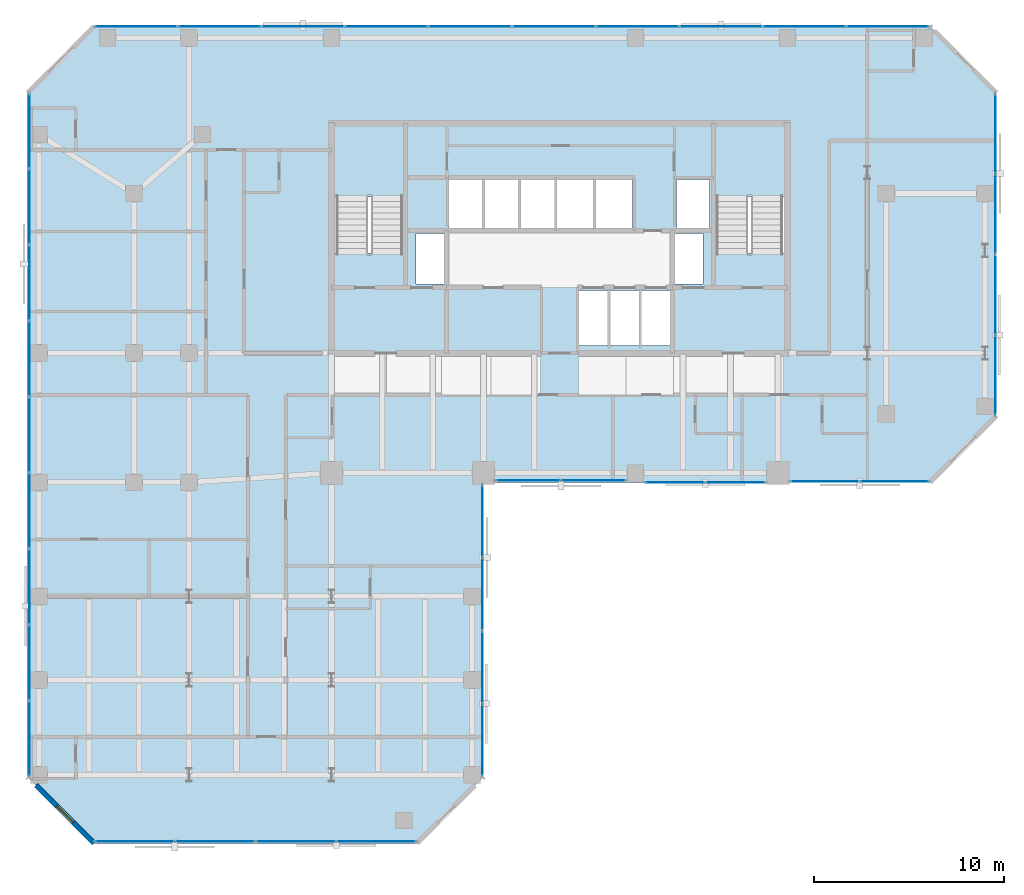
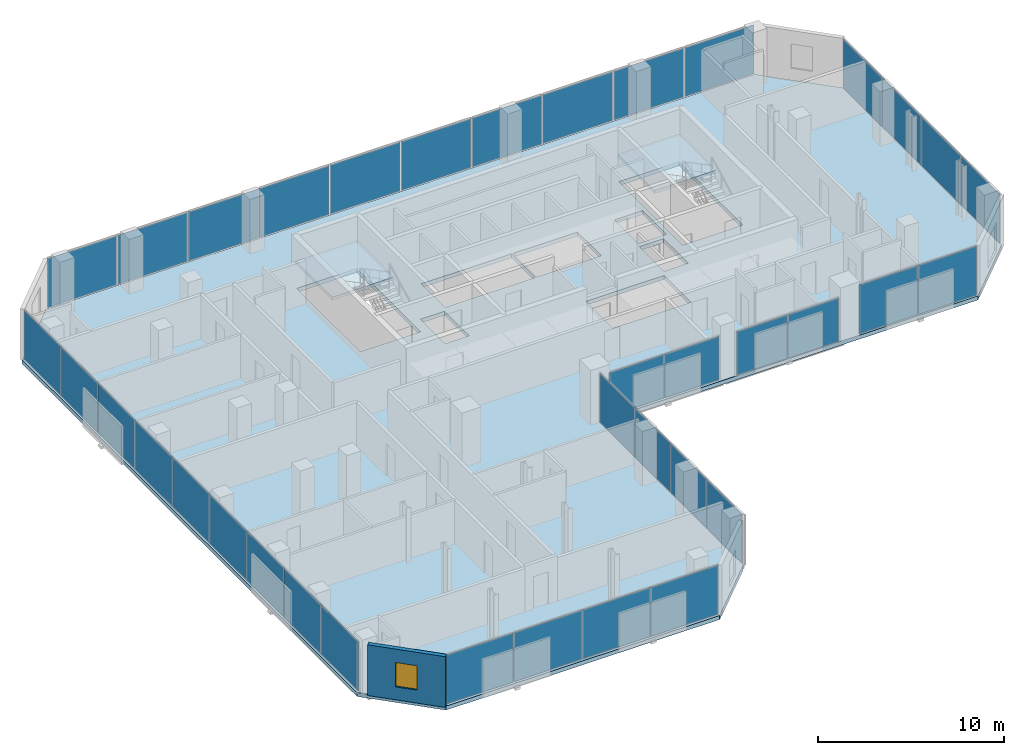
# One storey, part 27 of 34: 37 plates, 3 slabs, 1 wall, 1 window, 1 opening, 10 elements without a shape of their own.
"""IFC4 building model written with IfcOpenShell, lengths in metres."""

from ifc_helpers import new_model, si_unit, direction, frame, frame_2d, origin, origin_2d, place, context, subcontext, project, spatial, polyline, rectangle, outline, extrude, material, layer, layer_set, type_object, element, fill, aggregate, save


model = new_model("IFC4")

# Units and contexts
model_context = context("Model", 3, precision=1e-05, world=origin(), true_north=direction((0.0, 1.0)))
body_context = subcontext(model_context, "Body", "Model", "MODEL_VIEW")
ifc_project = project(units=[si_unit("LENGTHUNIT", "METRE"), si_unit("AREAUNIT", "SQUARE_METRE"), si_unit("VOLUMEUNIT", "CUBIC_METRE"), si_unit("PLANEANGLEUNIT", "RADIAN"), si_unit("MASSUNIT", "GRAM", prefix="KILO")], contexts=[model_context])

# Site, building, storey
site_placement = place(None, origin())
site = spatial("IfcSite", under=ifc_project, at=site_placement, CompositionType="ELEMENT")
building_placement = place(site_placement, origin())
building = spatial("IfcBuilding", under=site, at=building_placement, Name="Catumbela Crestline Tower", CompositionType="ELEMENT")
storey_placement = place(building_placement, frame((0.0, 0.0, 111.6)))
storey = spatial("IfcBuildingStorey", under=building, at=storey_placement, Name="L28", CompositionType="ELEMENT", Elevation=111.6)

# Curtain wall, plates
ifc_material_1 = material(Name="Aluminium alloy AW-6060-T66", Category="aluminium")
ifc_layer_1 = layer(ifc_material_1, 0.18, Name="Aluminium alloy AW-6060-T66")
ifc_layer_set_1 = layer_set([ifc_layer_1], Name="Aluminium alloy AW-6060-T66")
curtain_wall_type = type_object("IfcCurtainWallType", Name="CWU-Z2", PredefinedType="USERDEFINED", material=ifc_layer_set_1)
curtain_wall_1_placement = place(storey_placement, origin())
curtain_wall_1 = element("IfcCurtainWall", 1, at=curtain_wall_1_placement, inside=storey, type_object=curtain_wall_type, Name="L28 Unitised Curtain Wall CW-L28-E0S1", ObjectType="UNITISED", PredefinedType="USERDEFINED")
ifc_material_2 = material(Name="Low-E laminated solar-control double glazing", Category="glass")
ifc_layer_2 = layer(ifc_material_2, 0.036, Name="Low-E laminated solar-control double glazing")
ifc_layer_set_2 = layer_set([ifc_layer_2], Name="Low-E laminated solar-control double glazing")
plate_type = type_object("IfcPlateType", Name="PNL-GLZ-Z2", PredefinedType="CURTAIN_PANEL", material=ifc_layer_set_2)
plate_1_placement = place(storey_placement, frame((5.6412, 5.1, 0.06), z_axis=(0.0, 0.0, 1.0), x_axis=(1.0, 0.0, 0.0)))
plate_1 = element("IfcPlate", 2, at=plate_1_placement, type_object=plate_type, Name="CWU-Z2 panel 1.1", PredefinedType="CURTAIN_PANEL", context=body_context, shape_type="SweptSolid", body=[
    extrude(rectangle(XDim=4.1525, YDim=0.034, at=origin_2d()), origin(), (0.0, 0.0, 1.0), 3.21),
])
plate_2_placement = place(storey_placement, frame((9.875, 5.1, 0.06), z_axis=(0.0, 0.0, 1.0), x_axis=(1.0, 0.0, 0.0)))
plate_2 = element("IfcPlate", 3, at=plate_2_placement, type_object=plate_type, Name="CWU-Z2 panel 2.1", PredefinedType="CURTAIN_PANEL", context=body_context, shape_type="SweptSolid", body=[
    extrude(rectangle(XDim=4.185, YDim=0.034, at=origin_2d()), origin(), (0.0, 0.0, 1.0), 3.21),
])
plate_3_placement = place(storey_placement, frame((14.125, 5.1, 0.06), z_axis=(0.0, 0.0, 1.0), x_axis=(1.0, 0.0, 0.0)))
plate_3 = element("IfcPlate", 4, at=plate_3_placement, type_object=plate_type, Name="CWU-Z2 panel 3.1", PredefinedType="CURTAIN_PANEL", context=body_context, shape_type="SweptSolid", body=[
    extrude(rectangle(XDim=4.185, YDim=0.034, at=origin_2d()), origin(), (0.0, 0.0, 1.0), 3.21),
])
plate_4_placement = place(storey_placement, frame((18.3588, 5.1, 0.06), z_axis=(0.0, 0.0, 1.0), x_axis=(1.0, 0.0, 0.0)))
plate_4 = element("IfcPlate", 5, at=plate_4_placement, type_object=plate_type, Name="CWU-Z2 panel 4.1", PredefinedType="CURTAIN_PANEL", context=body_context, shape_type="SweptSolid", body=[
    extrude(rectangle(XDim=4.1525, YDim=0.034, at=origin_2d()), origin(), (0.0, 0.0, 1.0), 3.21),
])
aggregate(curtain_wall_1, [plate_1, plate_2, plate_3, plate_4])

curtain_wall_2_placement = place(storey_placement, origin())
curtain_wall_2 = element("IfcCurtainWall", 6, at=curtain_wall_2_placement, inside=storey, type_object=curtain_wall_type, Name="L28 Unitised Curtain Wall CW-L28-E2S1", ObjectType="UNITISED", PredefinedType="USERDEFINED")
plate_5_placement = place(storey_placement, frame((23.95, 10.4412, 0.06), z_axis=(0.0, 0.0, 1.0), x_axis=(0.0, 1.0, 0.0)))
plate_5 = element("IfcPlate", 7, at=plate_5_placement, type_object=plate_type, Name="CWU-Z2 panel 1.1", PredefinedType="CURTAIN_PANEL", context=body_context, shape_type="SweptSolid", body=[
    extrude(rectangle(XDim=3.7525, YDim=0.034, at=origin_2d()), origin(), (0.0, 0.0, 1.0), 3.21),
])
plate_6_placement = place(storey_placement, frame((23.95, 14.275, 0.06), z_axis=(0.0, 0.0, 1.0), x_axis=(0.0, 1.0, 0.0)))
plate_6 = element("IfcPlate", 8, at=plate_6_placement, type_object=plate_type, Name="CWU-Z2 panel 2.1", PredefinedType="CURTAIN_PANEL", context=body_context, shape_type="SweptSolid", body=[
    extrude(rectangle(XDim=3.785, YDim=0.034, at=origin_2d()), origin(), (0.0, 0.0, 1.0), 3.21),
])
plate_7_placement = place(storey_placement, frame((23.95, 18.125, 0.06), z_axis=(0.0, 0.0, 1.0), x_axis=(0.0, 1.0, 0.0)))
plate_7 = element("IfcPlate", 9, at=plate_7_placement, type_object=plate_type, Name="CWU-Z2 panel 3.1", PredefinedType="CURTAIN_PANEL", context=body_context, shape_type="SweptSolid", body=[
    extrude(rectangle(XDim=3.785, YDim=0.034, at=origin_2d()), origin(), (0.0, 0.0, 1.0), 3.21),
])
plate_8_placement = place(storey_placement, frame((23.95, 21.9587, 0.06), z_axis=(0.0, 0.0, 1.0), x_axis=(0.0, 1.0, 0.0)))
plate_8 = element("IfcPlate", 10, at=plate_8_placement, type_object=plate_type, Name="CWU-Z2 panel 4.1", PredefinedType="CURTAIN_PANEL", context=body_context, shape_type="SweptSolid", body=[
    extrude(rectangle(XDim=3.7525, YDim=0.034, at=origin_2d()), origin(), (0.0, 0.0, 1.0), 3.21),
])
aggregate(curtain_wall_2, [plate_5, plate_6, plate_7, plate_8])

curtain_wall_3_placement = place(storey_placement, origin())
curtain_wall_3 = element("IfcCurtainWall", 11, at=curtain_wall_3_placement, inside=storey, type_object=curtain_wall_type, Name="L28 Unitised Curtain Wall CW-L28-E3S1", ObjectType="UNITISED", PredefinedType="USERDEFINED")
plate_9_placement = place(storey_placement, frame((26.3538, 24.1, 0.06), z_axis=(0.0, 0.0, 1.0), x_axis=(1.0, 0.0, 0.0)))
plate_9 = element("IfcPlate", 12, at=plate_9_placement, type_object=plate_type, Name="CWU-Z2 panel 1.1", PredefinedType="CURTAIN_PANEL", context=body_context, shape_type="SweptSolid", body=[
    extrude(rectangle(XDim=3.3775, YDim=0.034, at=origin_2d()), origin(), (0.0, 0.0, 1.0), 2.84),
])
plate_10_placement = place(storey_placement, frame((29.7962, 24.1, 0.06), z_axis=(0.0, 0.0, 1.0), x_axis=(1.0, 0.0, 0.0)))
plate_10 = element("IfcPlate", 13, at=plate_10_placement, type_object=plate_type, Name="CWU-Z2 panel 2.1", PredefinedType="CURTAIN_PANEL", context=body_context, shape_type="SweptSolid", body=[
    extrude(rectangle(XDim=3.3775, YDim=0.034, at=origin_2d()), origin(), (0.0, 0.0, 1.0), 2.84),
])
aggregate(curtain_wall_3, [plate_9, plate_10])

curtain_wall_4_placement = place(storey_placement, origin())
curtain_wall_4 = element("IfcCurtainWall", 14, at=curtain_wall_4_placement, inside=storey, type_object=curtain_wall_type, Name="L28 Unitised Curtain Wall CW-L28-E3S2", ObjectType="UNITISED", PredefinedType="USERDEFINED")
plate_11_placement = place(storey_placement, frame((34.0788, 24.0, 0.06), z_axis=(0.0, 0.0, 1.0), x_axis=(1.0, 0.0, 0.0)))
plate_11 = element("IfcPlate", 15, at=plate_11_placement, type_object=plate_type, Name="CWU-Z2 panel 1.1", PredefinedType="CURTAIN_PANEL", context=body_context, shape_type="SweptSolid", body=[
    extrude(rectangle(XDim=3.1275, YDim=0.034, at=origin_2d()), origin(), (0.0, 0.0, 1.0), 2.84),
])
plate_12_placement = place(storey_placement, frame((37.2712, 24.0, 0.06), z_axis=(0.0, 0.0, 1.0), x_axis=(1.0, 0.0, 0.0)))
plate_12 = element("IfcPlate", 16, at=plate_12_placement, type_object=plate_type, Name="CWU-Z2 panel 2.1", PredefinedType="CURTAIN_PANEL", context=body_context, shape_type="SweptSolid", body=[
    extrude(rectangle(XDim=3.1275, YDim=0.034, at=origin_2d()), origin(), (0.0, 0.0, 1.0), 2.84),
])
aggregate(curtain_wall_4, [plate_11, plate_12])

curtain_wall_5_placement = place(storey_placement, origin())
curtain_wall_5 = element("IfcCurtainWall", 17, at=curtain_wall_5_placement, inside=storey, type_object=curtain_wall_type, Name="L28 Unitised Curtain Wall CW-L28-E3S3", ObjectType="UNITISED", PredefinedType="USERDEFINED")
plate_13_placement = place(storey_placement, frame((41.9662, 24.05, 0.06), z_axis=(0.0, 0.0, 1.0), x_axis=(1.0, 0.0, 0.0)))
plate_13 = element("IfcPlate", 18, at=plate_13_placement, type_object=plate_type, Name="CWU-Z2 panel 1.1", PredefinedType="CURTAIN_PANEL", context=body_context, shape_type="SweptSolid", body=[
    extrude(rectangle(XDim=3.6025, YDim=0.034, at=origin_2d()), origin(), (0.0, 0.0, 1.0), 3.21),
])
plate_14_placement = place(storey_placement, frame((45.6338, 24.05, 0.06), z_axis=(0.0, 0.0, 1.0), x_axis=(1.0, 0.0, 0.0)))
plate_14 = element("IfcPlate", 19, at=plate_14_placement, type_object=plate_type, Name="CWU-Z2 panel 2.1", PredefinedType="CURTAIN_PANEL", context=body_context, shape_type="SweptSolid", body=[
    extrude(rectangle(XDim=3.6025, YDim=0.034, at=origin_2d()), origin(), (0.0, 0.0, 1.0), 3.21),
])
aggregate(curtain_wall_5, [plate_13, plate_14])

curtain_wall_6_placement = place(storey_placement, origin())
curtain_wall_6 = element("IfcCurtainWall", 20, at=curtain_wall_6_placement, inside=storey, type_object=curtain_wall_type, Name="L28 Unitised Curtain Wall CW-L28-E5S1", ObjectType="UNITISED", PredefinedType="USERDEFINED")
plate_15_placement = place(storey_placement, frame((50.95, 29.6412, 0.06), z_axis=(0.0, 0.0, 1.0), x_axis=(0.0, 1.0, 0.0)))
plate_15 = element("IfcPlate", 21, at=plate_15_placement, type_object=plate_type, Name="CWU-Z2 panel 1.1", PredefinedType="CURTAIN_PANEL", context=body_context, shape_type="SweptSolid", body=[
    extrude(rectangle(XDim=4.1525, YDim=0.034, at=origin_2d()), origin(), (0.0, 0.0, 1.0), 3.21),
])
plate_16_placement = place(storey_placement, frame((50.95, 33.875, 0.06), z_axis=(0.0, 0.0, 1.0), x_axis=(0.0, 1.0, 0.0)))
plate_16 = element("IfcPlate", 22, at=plate_16_placement, type_object=plate_type, Name="CWU-Z2 panel 2.1", PredefinedType="CURTAIN_PANEL", context=body_context, shape_type="SweptSolid", body=[
    extrude(rectangle(XDim=4.185, YDim=0.034, at=origin_2d()), origin(), (0.0, 0.0, 1.0), 3.21),
])
plate_17_placement = place(storey_placement, frame((50.95, 38.125, 0.06), z_axis=(0.0, 0.0, 1.0), x_axis=(0.0, 1.0, 0.0)))
plate_17 = element("IfcPlate", 23, at=plate_17_placement, type_object=plate_type, Name="CWU-Z2 panel 3.1", PredefinedType="CURTAIN_PANEL", context=body_context, shape_type="SweptSolid", body=[
    extrude(rectangle(XDim=4.185, YDim=0.034, at=origin_2d()), origin(), (0.0, 0.0, 1.0), 3.21),
])
plate_18_placement = place(storey_placement, frame((50.95, 42.3588, 0.06), z_axis=(0.0, 0.0, 1.0), x_axis=(0.0, 1.0, 0.0)))
plate_18 = element("IfcPlate", 24, at=plate_18_placement, type_object=plate_type, Name="CWU-Z2 panel 4.1", PredefinedType="CURTAIN_PANEL", context=body_context, shape_type="SweptSolid", body=[
    extrude(rectangle(XDim=4.1525, YDim=0.034, at=origin_2d()), origin(), (0.0, 0.0, 1.0), 3.21),
])
aggregate(curtain_wall_6, [plate_15, plate_16, plate_17, plate_18])

curtain_wall_7_placement = place(storey_placement, origin())
curtain_wall_7 = element("IfcCurtainWall", 25, at=curtain_wall_7_placement, inside=storey, type_object=curtain_wall_type, Name="L28 Unitised Curtain Wall CW-L28-E7S1", ObjectType="UNITISED", PredefinedType="USERDEFINED")
plate_19_placement = place(storey_placement, frame((45.2838, 48.0, 0.06), z_axis=(0.0, 0.0, 1.0), x_axis=(-1.0, 0.0, 0.0)))
plate_19 = element("IfcPlate", 26, at=plate_19_placement, type_object=plate_type, Name="CWU-Z2 panel 1.1", PredefinedType="CURTAIN_PANEL", context=body_context, shape_type="SweptSolid", body=[
    extrude(rectangle(XDim=4.3025, YDim=0.034, at=origin_2d()), origin(), (0.0, 0.0, 1.0), 3.21),
])
plate_20_placement = place(storey_placement, frame((40.9, 48.0, 0.06), z_axis=(0.0, 0.0, 1.0), x_axis=(-1.0, 0.0, 0.0)))
plate_20 = element("IfcPlate", 27, at=plate_20_placement, type_object=plate_type, Name="CWU-Z2 panel 2.1", PredefinedType="CURTAIN_PANEL", context=body_context, shape_type="SweptSolid", body=[
    extrude(rectangle(XDim=4.335, YDim=0.034, at=origin_2d()), origin(), (0.0, 0.0, 1.0), 3.21),
])
plate_21_placement = place(storey_placement, frame((36.5, 48.0, 0.06), z_axis=(0.0, 0.0, 1.0), x_axis=(-1.0, 0.0, 0.0)))
plate_21 = element("IfcPlate", 28, at=plate_21_placement, type_object=plate_type, Name="CWU-Z2 panel 3.1", PredefinedType="CURTAIN_PANEL", context=body_context, shape_type="SweptSolid", body=[
    extrude(rectangle(XDim=4.335, YDim=0.034, at=origin_2d()), origin(), (0.0, 0.0, 1.0), 3.21),
])
plate_22_placement = place(storey_placement, frame((32.1, 48.0, 0.06), z_axis=(0.0, 0.0, 1.0), x_axis=(-1.0, 0.0, 0.0)))
plate_22 = element("IfcPlate", 29, at=plate_22_placement, type_object=plate_type, Name="CWU-Z2 panel 4.1", PredefinedType="CURTAIN_PANEL", context=body_context, shape_type="SweptSolid", body=[
    extrude(rectangle(XDim=4.335, YDim=0.034, at=origin_2d()), origin(), (0.0, 0.0, 1.0), 3.21),
])
plate_23_placement = place(storey_placement, frame((27.7, 48.0, 0.06), z_axis=(0.0, 0.0, 1.0), x_axis=(-1.0, 0.0, 0.0)))
plate_23 = element("IfcPlate", 30, at=plate_23_placement, type_object=plate_type, Name="CWU-Z2 panel 5.1", PredefinedType="CURTAIN_PANEL", context=body_context, shape_type="SweptSolid", body=[
    extrude(rectangle(XDim=4.335, YDim=0.034, at=origin_2d()), origin(), (0.0, 0.0, 1.0), 3.21),
])
plate_24_placement = place(storey_placement, frame((23.3, 48.0, 0.06), z_axis=(0.0, 0.0, 1.0), x_axis=(-1.0, 0.0, 0.0)))
plate_24 = element("IfcPlate", 31, at=plate_24_placement, type_object=plate_type, Name="CWU-Z2 panel 6.1", PredefinedType="CURTAIN_PANEL", context=body_context, shape_type="SweptSolid", body=[
    extrude(rectangle(XDim=4.335, YDim=0.034, at=origin_2d()), origin(), (0.0, 0.0, 1.0), 3.21),
])
plate_25_placement = place(storey_placement, frame((18.9, 48.0, 0.06), z_axis=(0.0, 0.0, 1.0), x_axis=(-1.0, 0.0, 0.0)))
plate_25 = element("IfcPlate", 32, at=plate_25_placement, type_object=plate_type, Name="CWU-Z2 panel 7.1", PredefinedType="CURTAIN_PANEL", context=body_context, shape_type="SweptSolid", body=[
    extrude(rectangle(XDim=4.335, YDim=0.034, at=origin_2d()), origin(), (0.0, 0.0, 1.0), 3.21),
])
plate_26_placement = place(storey_placement, frame((14.5, 48.0, 0.06), z_axis=(0.0, 0.0, 1.0), x_axis=(-1.0, 0.0, 0.0)))
plate_26 = element("IfcPlate", 33, at=plate_26_placement, type_object=plate_type, Name="CWU-Z2 panel 8.1", PredefinedType="CURTAIN_PANEL", context=body_context, shape_type="SweptSolid", body=[
    extrude(rectangle(XDim=4.335, YDim=0.034, at=origin_2d()), origin(), (0.0, 0.0, 1.0), 3.21),
])
plate_27_placement = place(storey_placement, frame((10.1, 48.0, 0.06), z_axis=(0.0, 0.0, 1.0), x_axis=(-1.0, 0.0, 0.0)))
plate_27 = element("IfcPlate", 34, at=plate_27_placement, type_object=plate_type, Name="CWU-Z2 panel 9.1", PredefinedType="CURTAIN_PANEL", context=body_context, shape_type="SweptSolid", body=[
    extrude(rectangle(XDim=4.335, YDim=0.034, at=origin_2d()), origin(), (0.0, 0.0, 1.0), 3.21),
])
plate_28_placement = place(storey_placement, frame((5.7162, 48.0, 0.06), z_axis=(0.0, 0.0, 1.0), x_axis=(-1.0, 0.0, 0.0)))
plate_28 = element("IfcPlate", 35, at=plate_28_placement, type_object=plate_type, Name="CWU-Z2 panel 10.1", PredefinedType="CURTAIN_PANEL", context=body_context, shape_type="SweptSolid", body=[
    extrude(rectangle(XDim=4.3025, YDim=0.034, at=origin_2d()), origin(), (0.0, 0.0, 1.0), 3.21),
])
aggregate(curtain_wall_7, [plate_19, plate_20, plate_21, plate_22, plate_23, plate_24, plate_25, plate_26, plate_27, plate_28])

curtain_wall_8_placement = place(storey_placement, origin())
curtain_wall_8 = element("IfcCurtainWall", 36, at=curtain_wall_8_placement, inside=storey, type_object=curtain_wall_type, Name="L28 Unitised Curtain Wall CW-L28-E9S1", ObjectType="UNITISED", PredefinedType="USERDEFINED")
plate_29_placement = place(storey_placement, frame((0.1, 42.4838, 0.06), z_axis=(0.0, 0.0, 1.0), x_axis=(0.0, -1.0, 0.0)))
plate_29 = element("IfcPlate", 37, at=plate_29_placement, type_object=plate_type, Name="CWU-Z2 panel 1.1", PredefinedType="CURTAIN_PANEL", context=body_context, shape_type="SweptSolid", body=[
    extrude(rectangle(XDim=3.9025, YDim=0.034, at=origin_2d()), origin(), (0.0, 0.0, 1.0), 3.21),
])
plate_30_placement = place(storey_placement, frame((0.1, 38.5, 0.06), z_axis=(0.0, 0.0, 1.0), x_axis=(0.0, -1.0, 0.0)))
plate_30 = element("IfcPlate", 38, at=plate_30_placement, type_object=plate_type, Name="CWU-Z2 panel 2.1", PredefinedType="CURTAIN_PANEL", context=body_context, shape_type="SweptSolid", body=[
    extrude(rectangle(XDim=3.935, YDim=0.034, at=origin_2d()), origin(), (0.0, 0.0, 1.0), 3.21),
])
plate_31_placement = place(storey_placement, frame((0.1, 34.5, 0.06), z_axis=(0.0, 0.0, 1.0), x_axis=(0.0, -1.0, 0.0)))
plate_31 = element("IfcPlate", 39, at=plate_31_placement, type_object=plate_type, Name="CWU-Z2 panel 3.1", PredefinedType="CURTAIN_PANEL", context=body_context, shape_type="SweptSolid", body=[
    extrude(rectangle(XDim=3.935, YDim=0.034, at=origin_2d()), origin(), (0.0, 0.0, 1.0), 3.21),
])
plate_32_placement = place(storey_placement, frame((0.1, 30.5, 0.06), z_axis=(0.0, 0.0, 1.0), x_axis=(0.0, -1.0, 0.0)))
plate_32 = element("IfcPlate", 40, at=plate_32_placement, type_object=plate_type, Name="CWU-Z2 panel 4.1", PredefinedType="CURTAIN_PANEL", context=body_context, shape_type="SweptSolid", body=[
    extrude(rectangle(XDim=3.935, YDim=0.034, at=origin_2d()), origin(), (0.0, 0.0, 1.0), 3.21),
])
plate_33_placement = place(storey_placement, frame((0.1, 26.5, 0.06), z_axis=(0.0, 0.0, 1.0), x_axis=(0.0, -1.0, 0.0)))
plate_33 = element("IfcPlate", 41, at=plate_33_placement, type_object=plate_type, Name="CWU-Z2 panel 5.1", PredefinedType="CURTAIN_PANEL", context=body_context, shape_type="SweptSolid", body=[
    extrude(rectangle(XDim=3.935, YDim=0.034, at=origin_2d()), origin(), (0.0, 0.0, 1.0), 3.21),
])
plate_34_placement = place(storey_placement, frame((0.1, 22.5, 0.06), z_axis=(0.0, 0.0, 1.0), x_axis=(0.0, -1.0, 0.0)))
plate_34 = element("IfcPlate", 42, at=plate_34_placement, type_object=plate_type, Name="CWU-Z2 panel 6.1", PredefinedType="CURTAIN_PANEL", context=body_context, shape_type="SweptSolid", body=[
    extrude(rectangle(XDim=3.935, YDim=0.034, at=origin_2d()), origin(), (0.0, 0.0, 1.0), 3.21),
])
plate_35_placement = place(storey_placement, frame((0.1, 18.5, 0.06), z_axis=(0.0, 0.0, 1.0), x_axis=(0.0, -1.0, 0.0)))
plate_35 = element("IfcPlate", 43, at=plate_35_placement, type_object=plate_type, Name="CWU-Z2 panel 7.1", PredefinedType="CURTAIN_PANEL", context=body_context, shape_type="SweptSolid", body=[
    extrude(rectangle(XDim=3.935, YDim=0.034, at=origin_2d()), origin(), (0.0, 0.0, 1.0), 3.21),
])
plate_36_placement = place(storey_placement, frame((0.1, 14.5, 0.06), z_axis=(0.0, 0.0, 1.0), x_axis=(0.0, -1.0, 0.0)))
plate_36 = element("IfcPlate", 44, at=plate_36_placement, type_object=plate_type, Name="CWU-Z2 panel 8.1", PredefinedType="CURTAIN_PANEL", context=body_context, shape_type="SweptSolid", body=[
    extrude(rectangle(XDim=3.935, YDim=0.034, at=origin_2d()), origin(), (0.0, 0.0, 1.0), 3.21),
])
plate_37_placement = place(storey_placement, frame((0.1, 10.5162, 0.06), z_axis=(0.0, 0.0, 1.0), x_axis=(0.0, -1.0, 0.0)))
plate_37 = element("IfcPlate", 45, at=plate_37_placement, type_object=plate_type, Name="CWU-Z2 panel 9.1", PredefinedType="CURTAIN_PANEL", context=body_context, shape_type="SweptSolid", body=[
    extrude(rectangle(XDim=3.9025, YDim=0.034, at=origin_2d()), origin(), (0.0, 0.0, 1.0), 3.21),
])
aggregate(curtain_wall_8, [plate_29, plate_30, plate_31, plate_32, plate_33, plate_34, plate_35, plate_36, plate_37])

# Stair, slab
ifc_material_3 = material(Name="Concrete C45/55", Category="concrete")
stair_type = type_object("IfcStairType", Name="ST-DLG", PredefinedType="HALF_TURN_STAIR", material=ifc_material_3)
stair_1_placement = place(storey_placement, origin())
stair_1 = element("IfcStair", 46, at=stair_1_placement, inside=storey, type_object=stair_type, Name="L28 West Core Pressurised Exit Stair ST-01", PredefinedType="HALF_TURN_STAIR")
ifc_layer_3 = layer(ifc_material_3, 0.2, Name="Concrete C45/55")
ifc_layer_set_3 = layer_set([ifc_layer_3], Name="Concrete C45/55")
slab_type_1 = type_object("IfcSlabType", Name="SL-LND", PredefinedType="LANDING", material=ifc_layer_set_3)
slab_1_placement = place(storey_placement, frame((0.0, 0.0, 1.6)))
slab_1 = element("IfcSlab", 47, at=slab_1_placement, type_object=slab_type_1, Name="ST-01 landing 1", PredefinedType="LANDING", context=body_context, shape_type="SweptSolid", body=[
    extrude(outline(polyline([(19.91, 39.02), (19.91, 42.96), (16.09, 42.96), (16.09, 39.02), (19.91, 39.02)])), origin(), (0.0, 0.0, 1.0), 0.2),
])
aggregate(stair_1, [slab_1])

stair_2_placement = place(storey_placement, origin())
stair_2 = element("IfcStair", 48, at=stair_2_placement, inside=storey, type_object=stair_type, Name="L28 East Core Pressurised Exit Stair ST-02", PredefinedType="HALF_TURN_STAIR")
slab_2_placement = place(storey_placement, frame((0.0, 0.0, 1.6)))
slab_2 = element("IfcSlab", 49, at=slab_2_placement, type_object=slab_type_1, Name="ST-02 landing 1", PredefinedType="LANDING", context=body_context, shape_type="SweptSolid", body=[
    extrude(outline(polyline([(39.91, 39.02), (39.91, 42.96), (36.09, 42.96), (36.09, 39.02), (39.91, 39.02)])), origin(), (0.0, 0.0, 1.0), 0.2),
])
aggregate(stair_2, [slab_2])

# Slab
ifc_layer_4 = layer(ifc_material_3, 0.26, Name="Concrete C45/55")
ifc_layer_set_4 = layer_set([ifc_layer_4], Name="Concrete C45/55")
slab_type_2 = type_object("IfcSlabType", Name="SL-260", PredefinedType="FLOOR", material=ifc_layer_set_4)
slab_3_placement = place(storey_placement, frame((0.0, 0.0, -0.26)))
element("IfcSlab", 50, at=slab_3_placement, inside=storey, type_object=slab_type_2, Name="L28 Structural Floor Slab", PredefinedType="FLOOR", context=body_context, shape_type="SweptSolid", body=[
    extrude(outline(polyline([(3.5, 5.0), (20.5, 5.0), (24.0, 8.5), (24.0, 24.0), (47.5, 24.0), (51.0, 27.5), (51.0, 44.5), (47.5, 48.0), (3.5, 48.0), (0.0, 44.5), (0.0, 8.5), (3.5, 5.0)]), holes=[polyline([(16.13, 36.08), (19.87, 36.08), (19.87, 42.92), (16.13, 42.92), (16.13, 36.08)]), polyline([(36.13, 36.08), (39.87, 36.08), (39.87, 42.92), (36.13, 42.92), (36.13, 36.08)]), polyline([(29.0, 31.2), (33.85, 31.2), (33.85, 34.1), (29.0, 34.1), (29.0, 31.2)]), polyline([(22.15, 37.4), (27.75, 37.4), (27.75, 39.95), (22.15, 39.95), (22.15, 37.4)]), polyline([(27.85, 37.4), (31.85, 37.4), (31.85, 39.95), (27.85, 39.95), (27.85, 37.4)]), polyline([(20.45, 34.45), (21.95, 34.45), (21.95, 37.1), (20.45, 37.1), (20.45, 34.45)]), polyline([(34.05, 34.45), (35.55, 34.45), (35.55, 37.1), (34.05, 37.1), (34.05, 34.45)]), polyline([(34.15, 37.4), (35.9, 37.4), (35.9, 39.95), (34.15, 39.95), (34.15, 37.4)])]), origin(), (0.0, 0.0, 1.0), 0.26),
])

# Wall, opening, window
ifc_material_4 = material(Name="Angolan grey-ochre granite", Category="masonry")
ifc_layer_5 = layer(ifc_material_4, 0.25, Name="Angolan grey-ochre granite")
ifc_layer_set_5 = layer_set([ifc_layer_5], Name="Angolan grey-ochre granite")
wall_type = type_object("IfcWallType", Name="WE-250", PredefinedType="STANDARD", material=ifc_layer_set_5)
wall_placement = place(storey_placement, frame((0.4384, 8.0616, 0.0), z_axis=(0.0, 0.0, 1.0), x_axis=(0.707106781187, -0.707106781187, 0.0)))
wall = element("IfcWall", 51, at=wall_placement, inside=storey, type_object=wall_type, Name="L28 Granite Punched Window Wall 10-2", PredefinedType="STANDARD", context=body_context, shape_type="SweptSolid", body=[
    extrude(rectangle(XDim=4.3298, YDim=0.25, at=frame_2d((2.1649, 0.0))), origin(), (0.0, 0.0, 1.0), 3.33),
])
opening_placement = place(wall_placement, frame((1.5648, 0.0, 0.85)))
opening = element("IfcOpeningElement", 52, at=opening_placement, cuts=wall, Name="Opening WN-02", PredefinedType="OPENING", context=body_context, shape_type="SweptSolid", body=[
    extrude(rectangle(XDim=1.2, YDim=1.6, at=frame_2d((0.6, 0.8))), frame((0.0, 0.135, 0.0), z_axis=(0.0, -1.0, 0.0), x_axis=(1.0, 0.0, 0.0)), (0.0, 0.0, 1.0), 0.27),
])
window_type = type_object("IfcWindowType", Name="WO-1200", PartitioningType="SINGLE_PANEL", PredefinedType="WINDOW", material=ifc_material_2)
window_placement = place(opening_placement, origin())
window = element("IfcWindow", 53, at=window_placement, inside=storey, type_object=window_type, Name="L28 Facade Vision Window 164", OverallHeight=1.6, OverallWidth=1.2, PartitioningType="SINGLE_PANEL", PredefinedType="WINDOW", context=body_context, shape_type="SweptSolid", body=[
    extrude(rectangle(XDim=1.2, YDim=1.6, at=frame_2d((0.6, 0.8))), frame((0.0, 0.03, 0.0), z_axis=(0.0, -1.0, 0.0), x_axis=(1.0, 0.0, 0.0)), (0.0, 0.0, 1.0), 0.06),
])
fill(opening, window)

save(model, "model.ifc")
